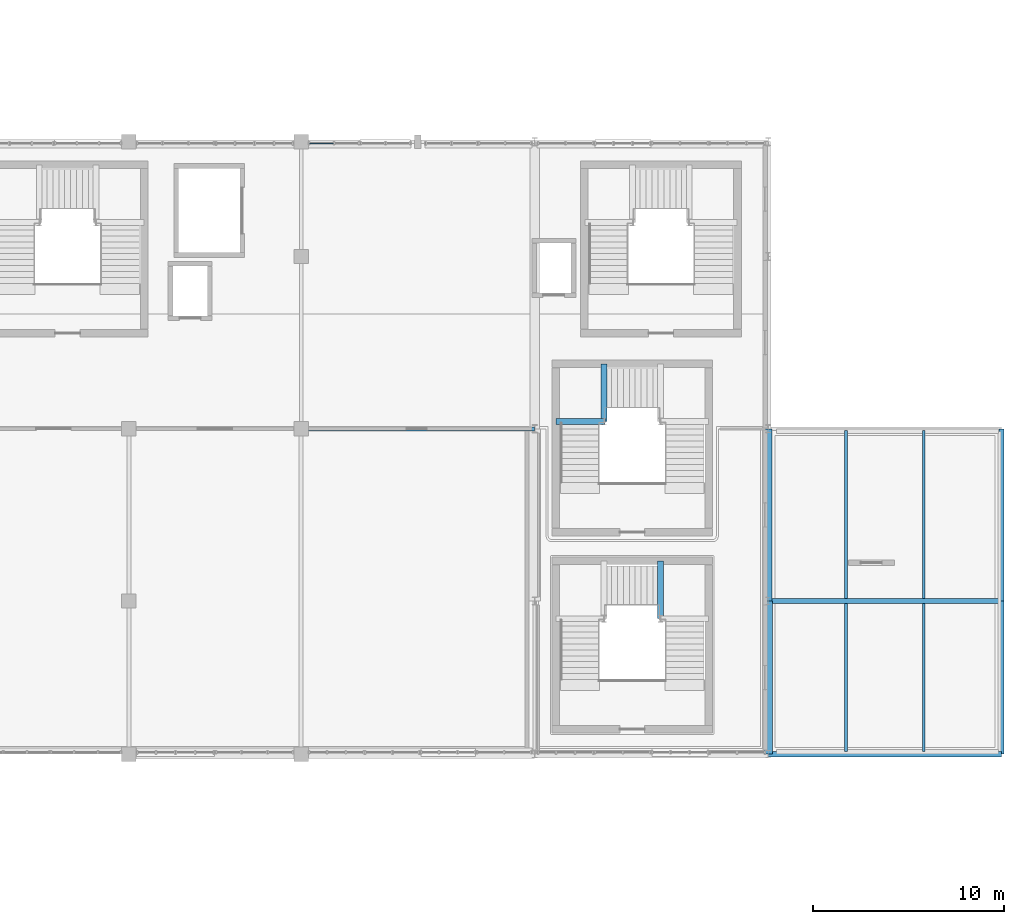
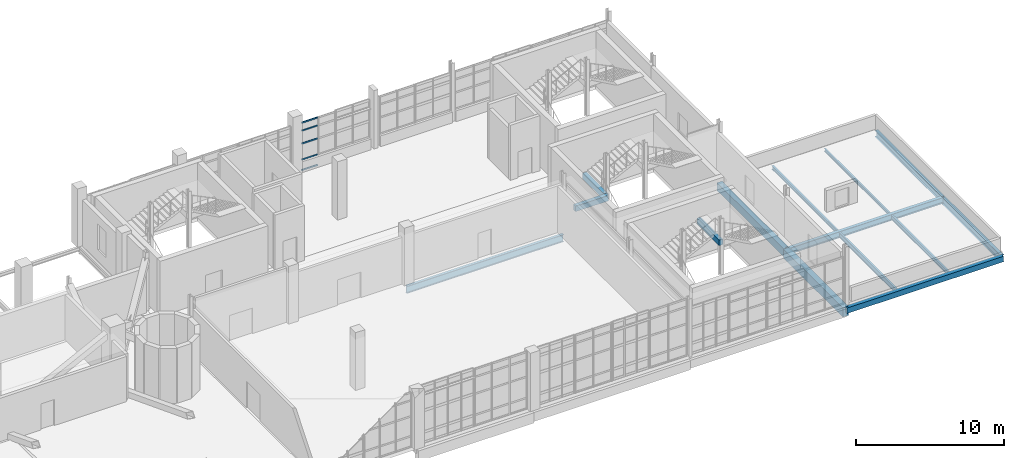
# One storey, part 74 of 127: 14 beams, 5 members, 1 element without a shape of its own.
"""IFC4 building model written with IfcOpenShell, lengths in metres."""

from ifc_helpers import new_model, si_unit, derived_unit, direction, frame, origin, origin_2d, place, context, subcontext, project, spatial, rectangle, hollow_rectangle, i_section, extrude, material, layer, layer_set, material_profile, profile_set, type_object, element, aggregate, save


model = new_model("IFC4")

# Units and contexts
model_context = context("Model", 3, precision=1e-05, world=origin(), true_north=direction((0.0, 1.0)))
body_context = subcontext(model_context, "Body", "Model", "MODEL_VIEW")
ifc_project = project(units=[si_unit("LENGTHUNIT", "METRE"), si_unit("AREAUNIT", "SQUARE_METRE"), si_unit("VOLUMEUNIT", "CUBIC_METRE"), si_unit("PLANEANGLEUNIT", "RADIAN"), si_unit("MASSUNIT", "GRAM", prefix="KILO"), derived_unit("THERMALTRANSMITTANCEUNIT", [(si_unit("POWERUNIT", "WATT"), 1), (si_unit("LENGTHUNIT", "METRE"), -2), (si_unit("THERMODYNAMICTEMPERATUREUNIT", "KELVIN"), -1)])], contexts=[model_context])

# Site, building, storey
site_placement = place(None, origin())
site = spatial("IfcSite", under=ifc_project, at=site_placement, CompositionType="ELEMENT")
building_placement = place(site_placement, origin())
building = spatial("IfcBuilding", under=site, at=building_placement, Name="Nallur Shell Playhouse", CompositionType="ELEMENT")
storey_placement = place(building_placement, frame((0.0, 0.0, 5.39990234375)))
storey = spatial("IfcBuildingStorey", under=building, at=storey_placement, Name="L02", CompositionType="ELEMENT", Elevation=5.39990234375)

# Beams
ifc_material_1 = material(Name="Steel E250", Category="steel")
ifc_material_profile_1 = material_profile(ifc_material_1, i_section(OverallWidth=0.125, OverallDepth=0.25, WebThickness=0.0068359375, FlangeThickness=0.012451171875, FilletRadius=0.012939453125, at=origin_2d()), Name="ISMB 250")
ifc_profile_set_1 = profile_set([ifc_material_profile_1], Name="Steel E250")
beam_type_1 = type_object("IfcBeamType", Name="BM-JST-ISMB250", PredefinedType="JOIST", material=ifc_profile_set_1)
beam_1_placement = place(storey_placement, frame((167.933349609375, 32.123046875, -0.40478515625), z_axis=(0.0, 1.0, 0.0), x_axis=(-1.0, 0.0, 0.0)))
element("IfcBeam", 1, at=beam_1_placement, inside=storey, type_object=beam_type_1, Name="L02 secondary joist 19-D-574", PredefinedType="JOIST", context=body_context, shape_type="SweptSolid", body=[
    extrude(i_section(OverallWidth=0.125, OverallDepth=0.25, WebThickness=0.0068359375, FlangeThickness=0.012451171875, FilletRadius=0.012939453125, at=origin_2d()), origin(), (0.0, 0.0, 1.0), 8.783935546875),
])
ifc_material_profile_2 = material_profile(ifc_material_1, i_section(OverallWidth=0.139892578125, OverallDepth=0.300048828125, WebThickness=0.0078125, FlangeThickness=0.01318359375, FilletRadius=0.013916015625, at=origin_2d()), Name="ISMB 300")
ifc_profile_set_2 = profile_set([ifc_material_profile_2], Name="Steel E250")
beam_type_2 = type_object("IfcBeamType", Name="BM-JST-ISMB300", PredefinedType="JOIST", material=ifc_profile_set_2)
beam_2_placement = place(storey_placement, frame((163.86669921875, 32.123046875, -0.429931640625), z_axis=(0.0, 1.0, 0.0), x_axis=(-1.0, 0.0, 0.0)))
element("IfcBeam", 2, at=beam_2_placement, inside=storey, type_object=beam_type_2, Name="L02 secondary joist 19-D-573", PredefinedType="JOIST", context=body_context, shape_type="SweptSolid", body=[
    extrude(i_section(OverallWidth=0.139892578125, OverallDepth=0.300048828125, WebThickness=0.0078125, FlangeThickness=0.01318359375, FilletRadius=0.013916015625, at=origin_2d()), origin(), (0.0, 0.0, 1.0), 8.783935546875),
])
ifc_material_profile_3 = material_profile(ifc_material_1, i_section(OverallWidth=0.139892578125, OverallDepth=0.35009765625, WebThickness=0.008056640625, FlangeThickness=0.01416015625, FilletRadius=0.013916015625, at=origin_2d()), Name="ISMB 350")
ifc_profile_set_3 = profile_set([ifc_material_profile_3], Name="Steel E250")
beam_type_3 = type_object("IfcBeamType", Name="BM-JST-ISMB350", PredefinedType="JOIST", material=ifc_profile_set_3)
beam_3_placement = place(storey_placement, frame((167.933349609375, 24.14794921875, -0.454833984375), z_axis=(0.0, 1.0, 0.0), x_axis=(-1.0, 0.0, 0.0)))
element("IfcBeam", 3, at=beam_3_placement, inside=storey, type_object=beam_type_3, Name="L02 secondary joist 19-C-572", PredefinedType="JOIST", context=body_context, shape_type="SweptSolid", body=[
    extrude(i_section(OverallWidth=0.139892578125, OverallDepth=0.35009765625, WebThickness=0.008056640625, FlangeThickness=0.01416015625, FilletRadius=0.013916015625, at=origin_2d()), origin(), (0.0, 0.0, 1.0), 7.72900390625),
])
ifc_material_profile_4 = material_profile(ifc_material_1, i_section(OverallWidth=0.139892578125, OverallDepth=0.39990234375, WebThickness=0.0087890625, FlangeThickness=0.01611328125, FilletRadius=0.013916015625, at=origin_2d()), Name="ISMB 400")
ifc_profile_set_4 = profile_set([ifc_material_profile_4], Name="Steel E250")
beam_type_4 = type_object("IfcBeamType", Name="BM-JST-ISMB400", PredefinedType="JOIST", material=ifc_profile_set_4)
beam_4_placement = place(storey_placement, frame((163.86669921875, 24.14794921875, -0.47998046875), z_axis=(0.0, 1.0, 0.0), x_axis=(-1.0, 0.0, 0.0)))
element("IfcBeam", 4, at=beam_4_placement, inside=storey, type_object=beam_type_4, Name="L02 secondary joist 19-C-571", PredefinedType="JOIST", context=body_context, shape_type="SweptSolid", body=[
    extrude(i_section(OverallWidth=0.139892578125, OverallDepth=0.39990234375, WebThickness=0.0087890625, FlangeThickness=0.01611328125, FilletRadius=0.013916015625, at=origin_2d()), origin(), (0.0, 0.0, 1.0), 7.72900390625),
])
ifc_material_2 = material(Name="Concrete M35", Category="concrete")
ifc_material_profile_5 = material_profile(ifc_material_2, rectangle(XDim=0.39990234375, YDim=0.64990234375, at=origin_2d()), Name="RC 400x650")
ifc_profile_set_5 = profile_set([ifc_material_profile_5], Name="Concrete M35")
beam_type_5 = type_object("IfcBeamType", Name="BM-RC-400x650", PredefinedType="BEAM", material=ifc_profile_set_5)
beam_5_placement = place(storey_placement, frame((159.800048828125, 32.0, -0.60498046875), z_axis=(0.0, 1.0, 0.0), x_axis=(-1.0, 0.0, 0.0)))
element("IfcBeam", 5, at=beam_5_placement, inside=storey, type_object=beam_type_5, Name="L02 girder Y-19-463", PredefinedType="BEAM", context=body_context, shape_type="SweptSolid", body=[
    extrude(rectangle(XDim=0.39990234375, YDim=0.64990234375, at=origin_2d()), origin(), (0.0, 0.0, 1.0), 9.0),
])
ifc_material_profile_6 = material_profile(ifc_material_2, rectangle(XDim=0.449951171875, YDim=0.75, at=origin_2d()), Name="RC 450x750")
ifc_profile_set_6 = profile_set([ifc_material_profile_6], Name="Concrete M35")
beam_type_6 = type_object("IfcBeamType", Name="BM-RC-450x750", PredefinedType="BEAM", material=ifc_profile_set_6)
beam_6_placement = place(storey_placement, frame((159.800048828125, 24.0, -0.65478515625), z_axis=(0.0, 1.0, 0.0), x_axis=(-1.0, 0.0, 0.0)))
element("IfcBeam", 6, at=beam_6_placement, inside=storey, type_object=beam_type_6, Name="L02 girder Y-19-462", PredefinedType="BEAM", context=body_context, shape_type="SweptSolid", body=[
    extrude(rectangle(XDim=0.449951171875, YDim=0.75, at=origin_2d()), origin(), (0.0, 0.0, 1.0), 8.0),
])
ifc_material_profile_7 = material_profile(ifc_material_2, rectangle(XDim=0.300048828125, YDim=0.449951171875, at=origin_2d()), Name="RC 300x450")
ifc_profile_set_7 = profile_set([ifc_material_profile_7], Name="Concrete M35")
beam_type_7 = type_object("IfcBeamType", Name="BM-SPN-300x450", PredefinedType="SPANDREL", material=ifc_profile_set_7)
beam_7_placement = place(storey_placement, frame((159.800048828125, 24.0, -0.5048828125), z_axis=(1.0, 0.0, 0.0), x_axis=(0.0, 1.0, 0.0)))
element("IfcBeam", 7, at=beam_7_placement, inside=storey, type_object=beam_type_7, Name="L02 girder X-C-336", PredefinedType="SPANDREL", context=body_context, shape_type="SweptSolid", body=[
    extrude(rectangle(XDim=0.300048828125, YDim=0.449951171875, at=origin_2d()), origin(), (0.0, 0.0, 1.0), 12.199951171875),
])
beam_8_placement = place(storey_placement, frame((154.179931640625, 31.080078125, 2.72509765625), z_axis=(0.0, 1.0, 0.0), x_axis=(-1.0, 0.0, 0.0)))
element("IfcBeam", 8, at=beam_8_placement, inside=storey, type_object=beam_type_7, Name="Stair ST-08-L02 L2 west bearer beam", PredefinedType="SPANDREL", context=body_context, shape_type="SweptSolid", body=[
    extrude(rectangle(XDim=0.300048828125, YDim=0.449951171875, at=origin_2d()), origin(), (0.0, 0.0, 1.0), 3.0),
])
beam_9_placement = place(storey_placement, frame((148.719970703125, 41.3798828125, 1.22509765625), z_axis=(1.0, 0.0, 0.0), x_axis=(0.0, 1.0, 0.0)))
element("IfcBeam", 9, at=beam_9_placement, inside=storey, type_object=beam_type_7, Name="Stair ST-09-L02 L1 south bearer beam", PredefinedType="SPANDREL", context=body_context, shape_type="SweptSolid", body=[
    extrude(rectangle(XDim=0.300048828125, YDim=0.449951171875, at=origin_2d()), origin(), (0.0, 0.0, 1.0), 2.56005859375),
])
beam_10_placement = place(storey_placement, frame((151.219970703125, 41.3798828125, 1.22509765625), z_axis=(0.0, 1.0, 0.0), x_axis=(-1.0, 0.0, 0.0)))
element("IfcBeam", 10, at=beam_10_placement, inside=storey, type_object=beam_type_7, Name="Stair ST-09-L02 L1 east bearer beam", PredefinedType="SPANDREL", context=body_context, shape_type="SweptSolid", body=[
    extrude(rectangle(XDim=0.300048828125, YDim=0.449951171875, at=origin_2d()), origin(), (0.0, 0.0, 1.0), 3.0),
])
ifc_material_3 = material(Name="Steel E350", Category="steel")
ifc_material_profile_8 = material_profile(ifc_material_3, i_section(OverallWidth=0.2099609375, OverallDepth=0.60009765625, WebThickness=0.011962890625, FlangeThickness=0.020751953125, FilletRadius=0.02001953125, at=origin_2d()), Name="ISMB 600")
ifc_profile_set_8 = profile_set([ifc_material_profile_8], Name="Steel E350")
beam_type_8 = type_object("IfcBeamType", Name="BM-ST-ISMB600", PredefinedType="BEAM", material=ifc_profile_set_8)
beam_11_placement = place(storey_placement, frame((135.39990234375, 41.0, -0.579833984375), z_axis=(1.0, 0.0, 0.0), x_axis=(0.0, 1.0, 0.0)))
element("IfcBeam", 11, at=beam_11_placement, inside=storey, type_object=beam_type_8, Name="L02 girder X-E-344", PredefinedType="BEAM", context=body_context, shape_type="SweptSolid", body=[
    extrude(i_section(OverallWidth=0.2099609375, OverallDepth=0.60009765625, WebThickness=0.011962890625, FlangeThickness=0.020751953125, FilletRadius=0.02001953125, at=origin_2d()), origin(), (0.0, 0.0, 1.0), 12.2001953125),
])
ifc_material_profile_9 = material_profile(ifc_material_3, i_section(OverallWidth=0.25, OverallDepth=0.5, WebThickness=0.010009765625, FlangeThickness=0.0146484375, FilletRadius=0.014892578125, at=origin_2d()), Name="ISWB 500")
ifc_profile_set_9 = profile_set([ifc_material_profile_9], Name="Steel E350")
beam_type_9 = type_object("IfcBeamType", Name="BM-ST-ISWB500", PredefinedType="BEAM", material=ifc_profile_set_9)
beam_12_placement = place(storey_placement, frame((159.800048828125, 32.0, -0.52978515625), z_axis=(1.0, 0.0, 0.0), x_axis=(0.0, 1.0, 0.0)))
element("IfcBeam", 12, at=beam_12_placement, inside=storey, type_object=beam_type_9, Name="L02 girder X-D-339", PredefinedType="BEAM", context=body_context, shape_type="SweptSolid", body=[
    extrude(i_section(OverallWidth=0.25, OverallDepth=0.5, WebThickness=0.010009765625, FlangeThickness=0.0146484375, FilletRadius=0.014892578125, at=origin_2d()), origin(), (0.0, 0.0, 1.0), 12.199951171875),
])
beam_13_placement = place(storey_placement, frame((172.0, 32.0, -0.52978515625), z_axis=(0.0, 1.0, 0.0), x_axis=(-1.0, 0.0, 0.0)))
element("IfcBeam", 13, at=beam_13_placement, inside=storey, type_object=beam_type_9, Name="L02 girder Y-20-467", PredefinedType="BEAM", context=body_context, shape_type="SweptSolid", body=[
    extrude(i_section(OverallWidth=0.25, OverallDepth=0.5, WebThickness=0.010009765625, FlangeThickness=0.0146484375, FilletRadius=0.014892578125, at=origin_2d()), origin(), (0.0, 0.0, 1.0), 9.0),
])
ifc_material_profile_10 = material_profile(ifc_material_3, i_section(OverallWidth=0.25, OverallDepth=0.550048828125, WebThickness=0.010498046875, FlangeThickness=0.017578125, FilletRadius=0.01611328125, at=origin_2d()), Name="ISWB 550")
ifc_profile_set_10 = profile_set([ifc_material_profile_10], Name="Steel E350")
beam_type_10 = type_object("IfcBeamType", Name="BM-ST-ISWB550", PredefinedType="BEAM", material=ifc_profile_set_10)
beam_14_placement = place(storey_placement, frame((172.0, 24.0, -0.554931640625), z_axis=(0.0, 1.0, 0.0), x_axis=(-1.0, 0.0, 0.0)))
element("IfcBeam", 14, at=beam_14_placement, inside=storey, type_object=beam_type_10, Name="L02 girder Y-20-466", PredefinedType="BEAM", context=body_context, shape_type="SweptSolid", body=[
    extrude(i_section(OverallWidth=0.25, OverallDepth=0.550048828125, WebThickness=0.010498046875, FlangeThickness=0.017578125, FilletRadius=0.01611328125, at=origin_2d()), origin(), (0.0, 0.0, 1.0), 8.0),
])

# Curtain wall, members
ifc_material_4 = material(Name="Anodised Aluminium Double-Glazed Facade System", Category="aluminium")
ifc_layer = layer(ifc_material_4, 0.1640625)
ifc_layer_set = layer_set([ifc_layer], Name="Anodised Aluminium Double-Glazed Facade System")
curtain_wall_type = type_object("IfcCurtainWallType", Name="CW-UNIT-31", PredefinedType="NOTDEFINED", material=ifc_layer_set)
curtain_wall_placement = place(storey_placement, origin())
curtain_wall = element("IfcCurtainWall", 15, at=curtain_wall_placement, inside=storey, type_object=curtain_wall_type, Name="Unitised curtain wall CW-031 (L02)", PredefinedType="NOTDEFINED")
ifc_material_5 = material(Name="Aluminium Alloy 6063-T6 Transom", Category="aluminium")
ifc_material_profile_11 = material_profile(ifc_material_5, hollow_rectangle(XDim=0.06494140625, YDim=0.1201171875, WallThickness=0.00390625, at=origin_2d()), Name="ALU 65x120x4")
ifc_profile_set_11 = profile_set([ifc_material_profile_11], Name="Aluminium Alloy 6063-T6 Transom")
member_type = type_object("IfcMemberType", Name="MB-CW-TRN120", PredefinedType="USERDEFINED", material=ifc_profile_set_11)
member_1_placement = place(storey_placement, frame((135.840087890625, 55.909912109375, 0.03271484375), z_axis=(1.0, 0.0, 0.0), x_axis=(0.0, 1.0, 0.0)))
member_1 = element("IfcMember", 16, at=member_1_placement, type_object=member_type, Name="CW-31 transom 1.1", ObjectType="TRANSOM", PredefinedType="USERDEFINED", context=body_context, shape_type="SweptSolid", body=[
    extrude(hollow_rectangle(XDim=0.06494140625, YDim=0.1201171875, WallThickness=0.00390625, at=origin_2d()), origin(), (0.0, 0.0, 1.0), 1.255615234375),
])
member_2_placement = place(storey_placement, frame((135.840087890625, 55.909912109375, 0.900146484375), z_axis=(1.0, 0.0, 0.0), x_axis=(0.0, 1.0, 0.0)))
member_2 = element("IfcMember", 17, at=member_2_placement, type_object=member_type, Name="CW-31 transom 1.2", ObjectType="TRANSOM", PredefinedType="USERDEFINED", context=body_context, shape_type="SweptSolid", body=[
    extrude(hollow_rectangle(XDim=0.06494140625, YDim=0.1201171875, WallThickness=0.00390625, at=origin_2d()), origin(), (0.0, 0.0, 1.0), 1.255615234375),
])
member_3_placement = place(storey_placement, frame((135.840087890625, 55.909912109375, 2.22021484375), z_axis=(1.0, 0.0, 0.0), x_axis=(0.0, 1.0, 0.0)))
member_3 = element("IfcMember", 18, at=member_3_placement, type_object=member_type, Name="CW-31 transom 1.3", ObjectType="TRANSOM", PredefinedType="USERDEFINED", context=body_context, shape_type="SweptSolid", body=[
    extrude(hollow_rectangle(XDim=0.06494140625, YDim=0.1201171875, WallThickness=0.00390625, at=origin_2d()), origin(), (0.0, 0.0, 1.0), 1.255615234375),
])
member_4_placement = place(storey_placement, frame((135.840087890625, 55.909912109375, 3.28515625), z_axis=(1.0, 0.0, 0.0), x_axis=(0.0, 1.0, 0.0)))
member_4 = element("IfcMember", 19, at=member_4_placement, type_object=member_type, Name="CW-31 transom 1.4", ObjectType="TRANSOM", PredefinedType="USERDEFINED", context=body_context, shape_type="SweptSolid", body=[
    extrude(hollow_rectangle(XDim=0.06494140625, YDim=0.1201171875, WallThickness=0.00390625, at=origin_2d()), origin(), (0.0, 0.0, 1.0), 1.255615234375),
])
member_5_placement = place(storey_placement, frame((135.840087890625, 55.909912109375, 3.9326171875), z_axis=(1.0, 0.0, 0.0), x_axis=(0.0, 1.0, 0.0)))
member_5 = element("IfcMember", 20, at=member_5_placement, type_object=member_type, Name="CW-31 transom 1.5", ObjectType="TRANSOM", PredefinedType="USERDEFINED", context=body_context, shape_type="SweptSolid", body=[
    extrude(hollow_rectangle(XDim=0.06494140625, YDim=0.1201171875, WallThickness=0.00390625, at=origin_2d()), origin(), (0.0, 0.0, 1.0), 1.255615234375),
])
aggregate(curtain_wall, [member_1, member_2, member_3, member_4, member_5])

save(model, "model.ifc")
